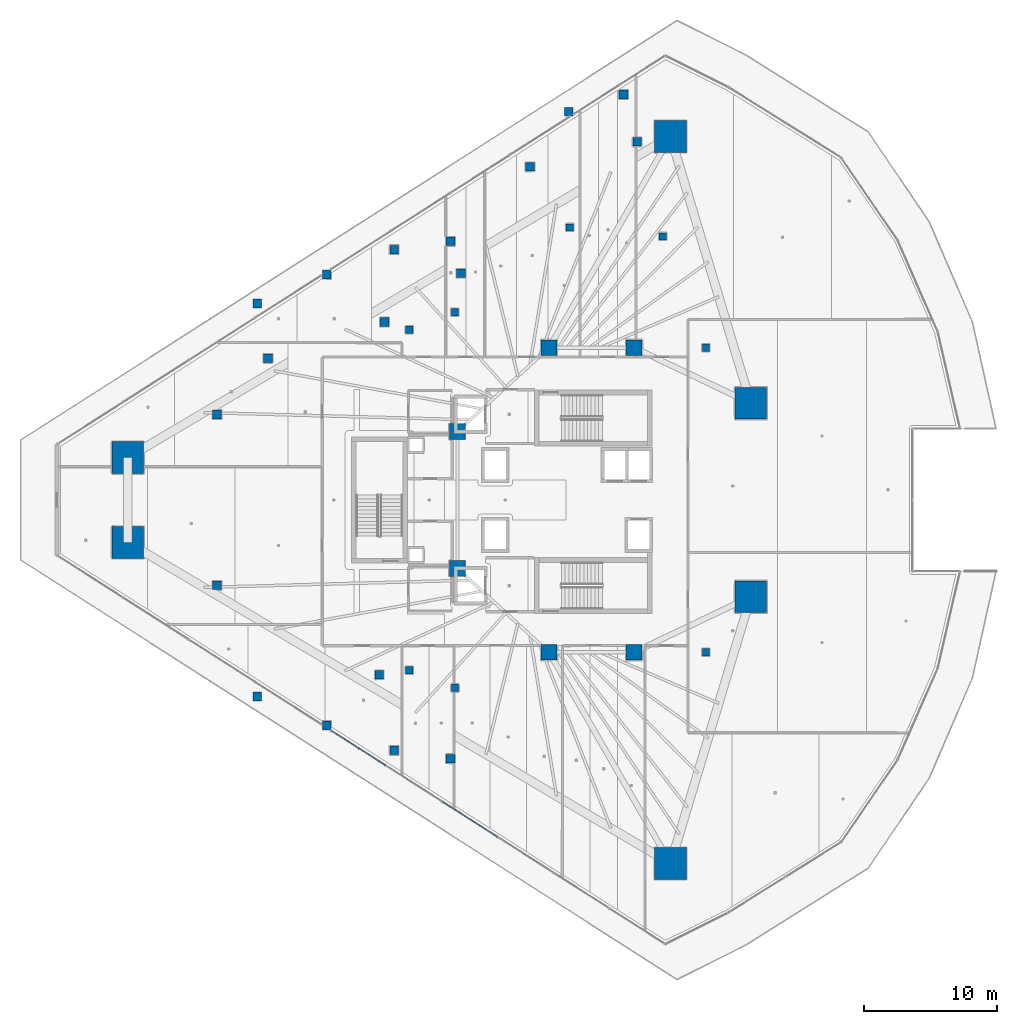
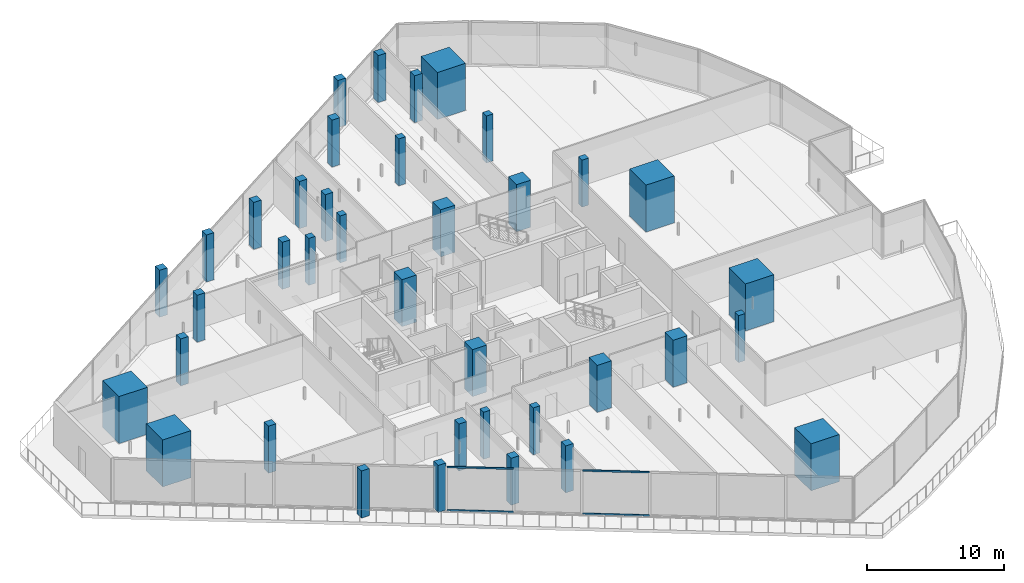
# One storey, part 1 of 44: 38 columns, 4 members, 1 element without a shape of its own.
"""IFC4 building model written with IfcOpenShell, lengths in metres."""

from ifc_helpers import new_model, si_unit, direction, frame, origin, origin_2d, place, context, subcontext, project, spatial, rectangle, hollow_rectangle, extrude, material, layer, layer_set, material_profile, profile_set, type_object, element, aggregate, save


model = new_model("IFC4")

# Units and contexts
model_context = context("Model", 3, precision=1e-05, world=origin(), true_north=direction((0.0, 1.0)))
body_context = subcontext(model_context, "Body", "Model", "MODEL_VIEW")
ifc_project = project(units=[si_unit("LENGTHUNIT", "METRE"), si_unit("AREAUNIT", "SQUARE_METRE"), si_unit("VOLUMEUNIT", "CUBIC_METRE"), si_unit("PLANEANGLEUNIT", "RADIAN"), si_unit("MASSUNIT", "GRAM", prefix="KILO")], contexts=[model_context])

# Site, building, storey
site_placement = place(None, origin())
site = spatial("IfcSite", under=ifc_project, at=site_placement, CompositionType="ELEMENT")
building_placement = place(site_placement, origin())
building = spatial("IfcBuilding", under=site, at=building_placement, Name="Qorvath Tower", CompositionType="ELEMENT")
storey_placement = place(building_placement, frame((0.0, 0.0, 53.39990234375)))
storey = spatial("IfcBuildingStorey", under=building, at=storey_placement, Name="L11", CompositionType="ELEMENT", Elevation=53.39990234375)

# Columns
ifc_material_1 = material(Name="Concrete C70/85", Category="concrete")
ifc_material_profile_1 = material_profile(ifc_material_1, rectangle(XDim=2.39990234375, YDim=2.39990234375, at=origin_2d()), Name="MC 2400x2400")
ifc_profile_set_1 = profile_set([ifc_material_profile_1], Name="Concrete C70/85")
column_type_1 = type_object("IfcColumnType", Name="COL-MC1", PredefinedType="COLUMN", material=ifc_profile_set_1)
for number, where, z_axis, x_axis, name in (
    (1, (-55.282958984375, 3.194580078125, 0.0), (0.0, 0.0, 1.0), (1.0, 0.0, 0.0), "Composite Mega-Column MC1 L11"),
    (2, (-55.282958984375, -3.194580078125, 0.0), (0.0, 0.0, 1.0), (1.0, 0.0, 0.0), "Composite Mega-Column MC2 L11"),
    (3, (-14.46435546875, -27.330810546875, 0.0), (0.0, 0.0, 1.0), (1.0, 0.0, 0.0), "Composite Mega-Column MC3 L11"),
    (4, (-8.430419921875, -7.2763671875, 0.0), (0.0, 0.0, 1.0), (1.0, 0.0, 0.0), "Composite Mega-Column MC4 L11"),
    (5, (-8.430419921875, 7.2763671875, 0.0), (0.0, 0.0, 1.0), (1.0, 0.0, 0.0), "Composite Mega-Column MC5 L11"),
    (6, (-14.46435546875, 27.330810546875, 0.0), (0.0, 0.0, 1.0), (1.0, 0.0, 0.0), "Composite Mega-Column MC6 L11"),
):
    element("IfcColumn", number, at=place(storey_placement, frame(where, z_axis=z_axis, x_axis=x_axis)), inside=storey, type_object=column_type_1, Name=name, PredefinedType="COLUMN", context=body_context, shape_type="SweptSolid", body=[
        extrude(rectangle(XDim=2.39990234375, YDim=2.39990234375, at=origin_2d()), origin(), (0.0, 0.0, 1.0), 4.2001953125),
    ])
ifc_material_2 = material(Name="Concrete C60/75", Category="concrete")
ifc_material_profile_2 = material_profile(ifc_material_2, rectangle(XDim=1.199951171875, YDim=1.199951171875, at=origin_2d()), Name="RC 1200x1200")
ifc_profile_set_2 = profile_set([ifc_material_profile_2], Name="Concrete C60/75")
column_type_2 = type_object("IfcColumnType", Name="COL-RC1", PredefinedType="COLUMN", material=ifc_profile_set_2)
for number, where, z_axis, x_axis, name in (
    (7, (-23.60009765625, 11.449951171875, 0.0), (0.0, 0.0, 1.0), (1.0, 0.0, 0.0), "Core Spine Column CC1 L11"),
    (8, (-17.199951171875, 11.449951171875, 0.0), (0.0, 0.0, 1.0), (1.0, 0.0, 0.0), "Core Spine Column CC2 L11"),
    (9, (-17.199951171875, -11.449951171875, 0.0), (0.0, 0.0, 1.0), (1.0, 0.0, 0.0), "Core Spine Column CC3 L11"),
    (10, (-23.60009765625, -11.449951171875, 0.0), (0.0, 0.0, 1.0), (1.0, 0.0, 0.0), "Core Spine Column CC4 L11"),
    (11, (-30.5, 5.14990234375, 0.0), (0.0, 0.0, 1.0), (1.0, 0.0, 0.0), "Core Spine Column CC5 L11"),
    (12, (-30.5, -5.14990234375, 0.0), (0.0, 0.0, 1.0), (1.0, 0.0, 0.0), "Core Spine Column CC6 L11"),
):
    element("IfcColumn", number, at=place(storey_placement, frame(where, z_axis=z_axis, x_axis=x_axis)), inside=storey, type_object=column_type_2, Name=name, PredefinedType="COLUMN", context=body_context, shape_type="SweptSolid", body=[
        extrude(rectangle(XDim=1.199951171875, YDim=1.199951171875, at=origin_2d()), origin(), (0.0, 0.0, 1.0), 4.2001953125),
    ])
ifc_material_3 = material(Name="Concrete C45/55", Category="concrete")
ifc_material_profile_3 = material_profile(ifc_material_3, rectangle(XDim=0.64990234375, YDim=0.64990234375, at=origin_2d()), Name="RC 650x650")
ifc_profile_set_3 = profile_set([ifc_material_profile_3], Name="Concrete C45/55")
column_type_3 = type_object("IfcColumnType", Name="COL-RC6", PredefinedType="COLUMN", material=ifc_profile_set_3)
for number, where, z_axis, x_axis, name in (
    (13, (-45.536376953125, 14.774658203125, 0.0), (0.0, 0.0, 1.0), (1.0, 0.0, 0.0), "Loggia Frame Pier Column LGA1 L11"),
    (14, (-45.536376953125, -14.774658203125, 0.0), (0.0, 0.0, 1.0), (1.0, 0.0, 0.0), "Loggia Frame Pier Column LGA2 L11"),
    (15, (-22.13134765625, 29.20556640625, 0.0), (0.0, 0.0, 1.0), (1.0, 0.0, 0.0), "Loggia Frame Pier Column LGA3 L11"),
    (16, (-40.33251953125, 16.955810546875, 0.0), (0.0, 0.0, 1.0), (1.0, 0.0, 0.0), "Loggia Frame Pier Column LGB1 L11"),
    (17, (-40.33251953125, -16.955810546875, 0.0), (0.0, 0.0, 1.0), (1.0, 0.0, 0.0), "Loggia Frame Pier Column LGB2 L11"),
    (18, (-18.0, 30.5, 0.0), (0.0, 0.0, 1.0), (1.0, 0.0, 0.0), "Loggia Frame Pier Column LGB3 L11"),
    (19, (-35.251708984375, 18.829345703125, 0.0), (0.0, 0.0, 1.0), (1.0, 0.0, 0.0), "Loggia Frame Pier Column LGC1 L11"),
    (20, (-35.251708984375, -18.829345703125, 0.0), (0.0, 0.0, 1.0), (1.0, 0.0, 0.0), "Loggia Frame Pier Column LGC2 L11"),
    (21, (-25.03759765625, 25.058837890625, 0.0), (0.0, 0.0, 1.0), (1.0, 0.0, 0.0), "Loggia Frame Pier Column LGC3 L11"),
    (22, (-31.01611328125, 19.46044921875, 0.0), (0.0, 0.0, 1.0), (1.0, 0.0, 0.0), "Loggia Frame Pier Column LGD1 L11"),
    (23, (-31.01611328125, -19.46044921875, 0.0), (0.0, 0.0, 1.0), (1.0, 0.0, 0.0), "Loggia Frame Pier Column LGD2 L11"),
    (24, (-44.736328125, 10.65234375, 0.0), (0.0, 0.0, 1.0), (1.0, 0.0, 0.0), "Loggia Frame Pier Column LGD3 L11"),
    (25, (-48.578369140625, 6.424560546875, 0.0), (0.0, 0.0, 1.0), (1.0, 0.0, 0.0), "Loggia Frame Pier Column LGE1 L11"),
    (26, (-48.578369140625, -6.424560546875, 0.0), (0.0, 0.0, 1.0), (1.0, 0.0, 0.0), "Loggia Frame Pier Column LGE2 L11"),
    (27, (-16.981201171875, 26.92919921875, 0.0), (0.0, 0.0, 1.0), (1.0, 0.0, 0.0), "Loggia Frame Pier Column LGE3 L11"),
    (28, (-35.980712890625, 13.380859375, 0.0), (0.0, 0.0, 1.0), (1.0, 0.0, 0.0), "Loggia Frame Pier Column LGF1 L11"),
    (29, (-36.36474609375, -13.135498046875, 0.0), (0.0, 0.0, 1.0), (1.0, 0.0, 0.0), "Loggia Frame Pier Column LGF2 L11"),
    (30, (-30.224853515625, 17.0595703125, 0.0), (0.0, 0.0, 1.0), (1.0, 0.0, 0.0), "Loggia Frame Pier Column LGF3 L11"),
):
    element("IfcColumn", number, at=place(storey_placement, frame(where, z_axis=z_axis, x_axis=x_axis)), inside=storey, type_object=column_type_3, Name=name, PredefinedType="COLUMN", context=body_context, shape_type="SweptSolid", body=[
        extrude(rectangle(XDim=0.64990234375, YDim=0.64990234375, at=origin_2d()), origin(), (0.0, 0.0, 1.0), 4.2001953125),
    ])
ifc_material_4 = material(Name="Concrete C45/55", Category="concrete")
ifc_material_profile_4 = material_profile(ifc_material_4, rectangle(XDim=0.550048828125, YDim=0.550048828125, at=origin_2d()), Name="RC 550x550")
ifc_profile_set_4 = profile_set([ifc_material_profile_4], Name="Concrete C45/55")
column_type_4 = type_object("IfcColumnType", Name="COL-RC7", PredefinedType="COLUMN", material=ifc_profile_set_4)
for number, where, z_axis, x_axis, name in (
    (31, (-34.104248046875, 12.79248046875, 0.0), (0.0, 0.0, 1.0), (1.0, 0.0, 0.0), "Loggia Frame Pier Column LGG1 L11"),
    (32, (-34.104248046875, -12.79248046875, 0.0), (0.0, 0.0, 1.0), (1.0, 0.0, 0.0), "Loggia Frame Pier Column LGG2 L11"),
    (33, (-22.05322265625, 20.494873046875, 0.0), (0.0, 0.0, 1.0), (1.0, 0.0, 0.0), "Loggia Frame Pier Column LGG3 L11"),
    (34, (-30.67724609375, 14.124267578125, 0.0), (0.0, 0.0, 1.0), (1.0, 0.0, 0.0), "Loggia Frame Pier Column LGH1 L11"),
    (35, (-30.67724609375, -14.124267578125, 0.0), (0.0, 0.0, 1.0), (1.0, 0.0, 0.0), "Loggia Frame Pier Column LGH2 L11"),
    (36, (-15.046142578125, 19.818115234375, 0.0), (0.0, 0.0, 1.0), (1.0, 0.0, 0.0), "Loggia Frame Pier Column LGH3 L11"),
    (37, (-11.800048828125, -11.449951171875, 0.0), (0.0, 0.0, 1.0), (1.0, 0.0, 0.0), "Central Slot Jamb Column SC1 L11"),
    (38, (-11.800048828125, 11.449951171875, 0.0), (0.0, 0.0, 1.0), (1.0, 0.0, 0.0), "Central Slot Jamb Column SC2 L11"),
):
    element("IfcColumn", number, at=place(storey_placement, frame(where, z_axis=z_axis, x_axis=x_axis)), inside=storey, type_object=column_type_4, Name=name, PredefinedType="COLUMN", context=body_context, shape_type="SweptSolid", body=[
        extrude(rectangle(XDim=0.550048828125, YDim=0.550048828125, at=origin_2d()), origin(), (0.0, 0.0, 1.0), 4.2001953125),
    ])

# Curtain wall, members
ifc_material_5 = material(Name="Anodised aluminium and triple low-E glass", Category="aluminium")
ifc_layer = layer(ifc_material_5, 0.179931640625)
ifc_layer_set = layer_set([ifc_layer], Name="CW-SYS-2")
curtain_wall_type = type_object("IfcCurtainWallType", Name="CW-SYS-2", PredefinedType="NOTDEFINED", material=ifc_layer_set)
curtain_wall_placement = place(storey_placement, origin())
curtain_wall = element("IfcCurtainWall", 39, at=curtain_wall_placement, inside=storey, type_object=curtain_wall_type, Name="Curtain Wall CW-2 CW-T-L11-2.2", PredefinedType="NOTDEFINED")
ifc_material_6 = material(Name="Anodised aluminium 6063-T6", Category="aluminium")
ifc_material_profile_5 = material_profile(ifc_material_6, hollow_rectangle(XDim=0.06494140625, YDim=0.159912109375, WallThickness=0.00341796875, InnerFilletRadius=0.00341796875, OuterFilletRadius=0.007080078125, at=origin_2d()), Name="CWT 160x65")
ifc_profile_set_5 = profile_set([ifc_material_profile_5], Name="Anodised aluminium 6063-T6")
member_type = type_object("IfcMemberType", Name="CWT-160", PredefinedType="USERDEFINED", material=ifc_profile_set_5)
member_1_placement = place(storey_placement, frame((-39.971923828125, -17.360595703125, 0.032470703125), z_axis=(0.842609237317, -0.538525461969, 0.0), x_axis=(0.538525461969, 0.842609237317, 0.0)))
member_1 = element("IfcMember", 40, at=member_1_placement, type_object=member_type, Name="CW-2 transom 1.1", ObjectType="TRANSOM", PredefinedType="USERDEFINED", context=body_context, shape_type="SweptSolid", body=[
    extrude(hollow_rectangle(XDim=0.06494140625, YDim=0.159912109375, WallThickness=0.00341796875, InnerFilletRadius=0.00341796875, OuterFilletRadius=0.007080078125, at=origin_2d()), origin(), (0.0, 0.0, 1.0), 4.8798828125),
])
member_2_placement = place(storey_placement, frame((-39.971923828125, -17.360595703125, 3.8876953125), z_axis=(0.842609237317, -0.538525461969, 0.0), x_axis=(0.538525461969, 0.842609237317, 0.0)))
member_2 = element("IfcMember", 41, at=member_2_placement, type_object=member_type, Name="CW-2 transom 1.2", ObjectType="TRANSOM", PredefinedType="USERDEFINED", context=body_context, shape_type="SweptSolid", body=[
    extrude(hollow_rectangle(XDim=0.06494140625, YDim=0.159912109375, WallThickness=0.00341796875, InnerFilletRadius=0.00341796875, OuterFilletRadius=0.007080078125, at=origin_2d()), origin(), (0.0, 0.0, 1.0), 4.8798828125),
])
member_3_placement = place(storey_placement, frame((-31.611572265625, -22.703857421875, 0.032470703125), z_axis=(0.842585374104, -0.538562797959, 0.0), x_axis=(0.538562797959, 0.842585374104, 0.0)))
member_3 = element("IfcMember", 42, at=member_3_placement, type_object=member_type, Name="CW-2 transom 3.1", ObjectType="TRANSOM", PredefinedType="USERDEFINED", context=body_context, shape_type="SweptSolid", body=[
    extrude(hollow_rectangle(XDim=0.06494140625, YDim=0.159912109375, WallThickness=0.00341796875, InnerFilletRadius=0.00341796875, OuterFilletRadius=0.007080078125, at=origin_2d()), origin(), (0.0, 0.0, 1.0), 4.912109375),
])
member_4_placement = place(storey_placement, frame((-31.611572265625, -22.703857421875, 3.8876953125), z_axis=(0.842585374104, -0.538562797959, 0.0), x_axis=(0.538562797959, 0.842585374104, 0.0)))
member_4 = element("IfcMember", 43, at=member_4_placement, type_object=member_type, Name="CW-2 transom 3.2", ObjectType="TRANSOM", PredefinedType="USERDEFINED", context=body_context, shape_type="SweptSolid", body=[
    extrude(hollow_rectangle(XDim=0.06494140625, YDim=0.159912109375, WallThickness=0.00341796875, InnerFilletRadius=0.00341796875, OuterFilletRadius=0.007080078125, at=origin_2d()), origin(), (0.0, 0.0, 1.0), 4.912109375),
])
aggregate(curtain_wall, [member_1, member_2, member_3, member_4])

save(model, "model.ifc")
